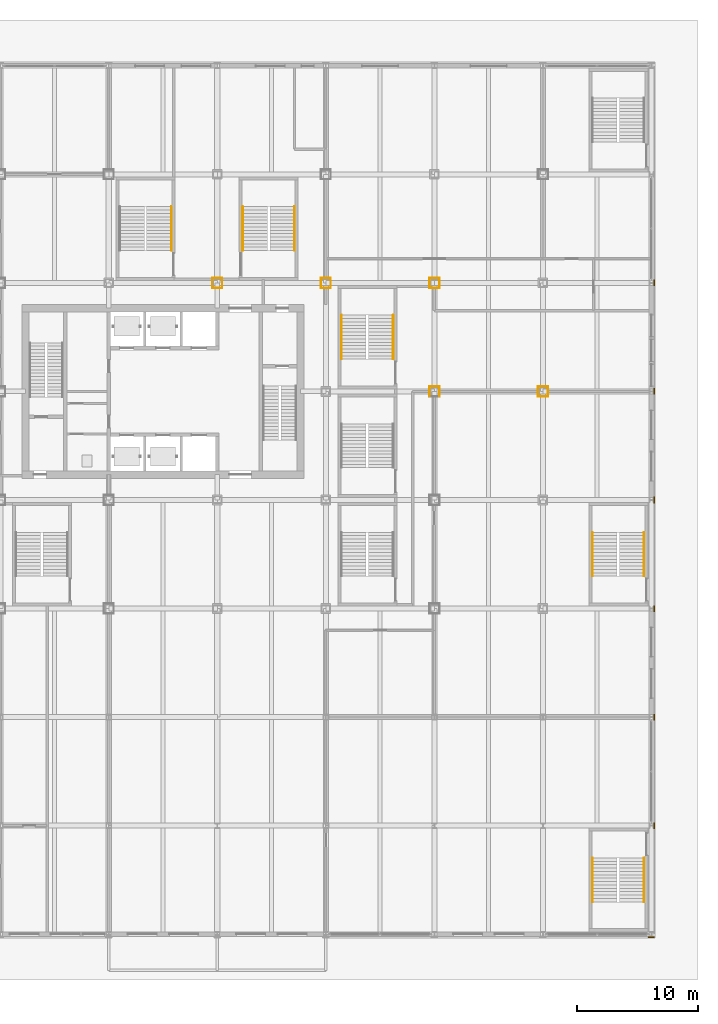
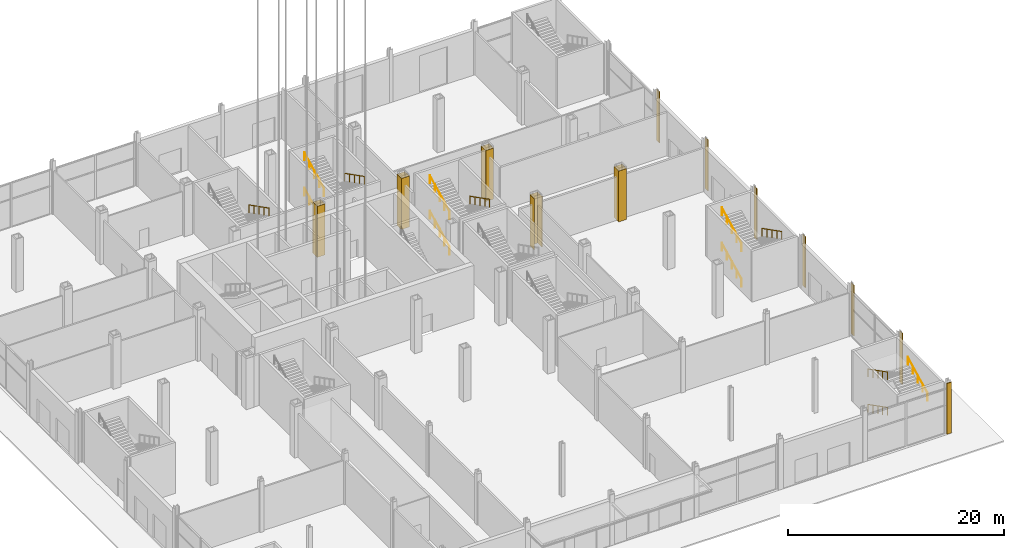
# One storey, part 30 of 34: 26 coverings, 13 railings.
"""IFC4 building model written with IfcOpenShell, lengths in metres."""

from ifc_helpers import new_model, si_unit, direction, frame, origin, origin_2d, place, context, subcontext, project, spatial, rectangle, circle, extrude, material, layer, layer_set, type_object, element, save


model = new_model("IFC4")

# Units and contexts
model_context = context("Model", 3, precision=1e-05, world=origin(), true_north=direction((0.0, 1.0)))
body_context = subcontext(model_context, "Body", "Model", "MODEL_VIEW")
ifc_project = project(units=[si_unit("LENGTHUNIT", "METRE"), si_unit("AREAUNIT", "SQUARE_METRE"), si_unit("VOLUMEUNIT", "CUBIC_METRE"), si_unit("PLANEANGLEUNIT", "RADIAN"), si_unit("MASSUNIT", "GRAM", prefix="KILO")], contexts=[model_context])

# Site, building, storey
site_placement = place(None, origin())
site = spatial("IfcSite", under=ifc_project, at=site_placement, CompositionType="ELEMENT")
building_placement = place(site_placement, origin())
building = spatial("IfcBuilding", under=site, at=building_placement, Name="Loomwork Tower", CompositionType="ELEMENT")
storey_placement = place(building_placement, origin())
storey = spatial("IfcBuildingStorey", under=building, at=storey_placement, Name="L00", CompositionType="ELEMENT", Elevation=0.0)

# Coverings
ifc_material_1 = material(Name="Two-hour fire-rated gypsum board casing")
ifc_layer_1 = layer(ifc_material_1, 0.02490234375)
ifc_layer_set_1 = layer_set([ifc_layer_1], Name="Column fire casing 25")
covering_type_1 = type_object("IfcCoveringType", Name="Column fire casing 25", PredefinedType="CLADDING", material=ifc_layer_set_1)
for number, where, z_axis, x_axis, name in (
    (1, (27.0, 27.41259765625, 0.0), (0.0, 0.0, 1.0), (1.0, 0.0, 0.0), "Column casing 27 27 L00"),
    (2, (27.0, 26.58740234375, 0.0), (0.0, 0.0, 1.0), (1.0, 0.0, 0.0), "Column casing 27 27 L00"),
):
    element("IfcCovering", number, at=place(storey_placement, frame(where, z_axis=z_axis, x_axis=x_axis)), inside=storey, type_object=covering_type_1, Name=name, PredefinedType="CLADDING", context=body_context, shape_type="SweptSolid", body=[
        extrude(rectangle(XDim=0.85009765625, YDim=0.02490234375, at=origin_2d()), origin(), (0.0, 0.0, 1.0), 5.75),
    ])
for number, where, z_axis, x_axis, name in (
    (3, (27.41259765625, 27.0, 0.0), (0.0, 0.0, 1.0), (1.0, 0.0, 0.0), "Column casing 27 27 L00"),
    (4, (26.58740234375, 27.0, 0.0), (0.0, 0.0, 1.0), (1.0, 0.0, 0.0), "Column casing 27 27 L00"),
):
    element("IfcCovering", number, at=place(storey_placement, frame(where, z_axis=z_axis, x_axis=x_axis)), inside=storey, type_object=covering_type_1, Name=name, PredefinedType="CLADDING", context=body_context, shape_type="SweptSolid", body=[
        extrude(rectangle(XDim=0.02490234375, YDim=0.800048828125, at=origin_2d()), origin(), (0.0, 0.0, 1.0), 5.75),
    ])
for number, where, z_axis, x_axis, name in (
    (5, (36.0, 27.41259765625, 0.0), (0.0, 0.0, 1.0), (1.0, 0.0, 0.0), "Column casing 36 27 L00"),
    (6, (36.0, 26.58740234375, 0.0), (0.0, 0.0, 1.0), (1.0, 0.0, 0.0), "Column casing 36 27 L00"),
):
    element("IfcCovering", number, at=place(storey_placement, frame(where, z_axis=z_axis, x_axis=x_axis)), inside=storey, type_object=covering_type_1, Name=name, PredefinedType="CLADDING", context=body_context, shape_type="SweptSolid", body=[
        extrude(rectangle(XDim=0.85009765625, YDim=0.02490234375, at=origin_2d()), origin(), (0.0, 0.0, 1.0), 5.75),
    ])
for number, where, z_axis, x_axis, name in (
    (7, (36.41259765625, 27.0, 0.0), (0.0, 0.0, 1.0), (1.0, 0.0, 0.0), "Column casing 36 27 L00"),
    (8, (35.58740234375, 27.0, 0.0), (0.0, 0.0, 1.0), (1.0, 0.0, 0.0), "Column casing 36 27 L00"),
):
    element("IfcCovering", number, at=place(storey_placement, frame(where, z_axis=z_axis, x_axis=x_axis)), inside=storey, type_object=covering_type_1, Name=name, PredefinedType="CLADDING", context=body_context, shape_type="SweptSolid", body=[
        extrude(rectangle(XDim=0.02490234375, YDim=0.800048828125, at=origin_2d()), origin(), (0.0, 0.0, 1.0), 5.75),
    ])
covering_1_placement = place(storey_placement, frame((45.0, 18.41259765625, 0.0), z_axis=(0.0, 0.0, 1.0), x_axis=(1.0, 0.0, 0.0)))
element("IfcCovering", 9, at=covering_1_placement, inside=storey, type_object=covering_type_1, Name="Column casing 45 18 L00", PredefinedType="CLADDING", context=body_context, shape_type="SweptSolid", body=[
    extrude(rectangle(XDim=0.85009765625, YDim=0.02490234375, at=origin_2d()), origin(), (0.0, 0.0, 1.0), 5.75),
])
for number, where, z_axis, x_axis, name in (
    (10, (45.41259765625, 18.0, 0.0), (0.0, 0.0, 1.0), (1.0, 0.0, 0.0), "Column casing 45 18 L00"),
    (11, (44.58740234375, 18.0, 0.0), (0.0, 0.0, 1.0), (1.0, 0.0, 0.0), "Column casing 45 18 L00"),
):
    element("IfcCovering", number, at=place(storey_placement, frame(where, z_axis=z_axis, x_axis=x_axis)), inside=storey, type_object=covering_type_1, Name=name, PredefinedType="CLADDING", context=body_context, shape_type="SweptSolid", body=[
        extrude(rectangle(XDim=0.02490234375, YDim=0.800048828125, at=origin_2d()), origin(), (0.0, 0.0, 1.0), 5.75),
    ])
for number, where, z_axis, x_axis, name in (
    (12, (45.0, 27.41259765625, 0.0), (0.0, 0.0, 1.0), (1.0, 0.0, 0.0), "Column casing 45 27 L00"),
    (13, (45.0, 26.58740234375, 0.0), (0.0, 0.0, 1.0), (1.0, 0.0, 0.0), "Column casing 45 27 L00"),
):
    element("IfcCovering", number, at=place(storey_placement, frame(where, z_axis=z_axis, x_axis=x_axis)), inside=storey, type_object=covering_type_1, Name=name, PredefinedType="CLADDING", context=body_context, shape_type="SweptSolid", body=[
        extrude(rectangle(XDim=0.85009765625, YDim=0.02490234375, at=origin_2d()), origin(), (0.0, 0.0, 1.0), 5.75),
    ])
for number, where, z_axis, x_axis, name in (
    (14, (45.41259765625, 27.0, 0.0), (0.0, 0.0, 1.0), (1.0, 0.0, 0.0), "Column casing 45 27 L00"),
    (15, (44.58740234375, 27.0, 0.0), (0.0, 0.0, 1.0), (1.0, 0.0, 0.0), "Column casing 45 27 L00"),
):
    element("IfcCovering", number, at=place(storey_placement, frame(where, z_axis=z_axis, x_axis=x_axis)), inside=storey, type_object=covering_type_1, Name=name, PredefinedType="CLADDING", context=body_context, shape_type="SweptSolid", body=[
        extrude(rectangle(XDim=0.02490234375, YDim=0.800048828125, at=origin_2d()), origin(), (0.0, 0.0, 1.0), 5.75),
    ])
for number, where, z_axis, x_axis, name in (
    (16, (54.0, 18.41259765625, 0.0), (0.0, 0.0, 1.0), (1.0, 0.0, 0.0), "Column casing 54 18 L00"),
    (17, (54.0, 17.58740234375, 0.0), (0.0, 0.0, 1.0), (1.0, 0.0, 0.0), "Column casing 54 18 L00"),
):
    element("IfcCovering", number, at=place(storey_placement, frame(where, z_axis=z_axis, x_axis=x_axis)), inside=storey, type_object=covering_type_1, Name=name, PredefinedType="CLADDING", context=body_context, shape_type="SweptSolid", body=[
        extrude(rectangle(XDim=0.85009765625, YDim=0.02490234375, at=origin_2d()), origin(), (0.0, 0.0, 1.0), 5.75),
    ])
for number, where, z_axis, x_axis, name in (
    (18, (54.41259765625, 18.0, 0.0), (0.0, 0.0, 1.0), (1.0, 0.0, 0.0), "Column casing 54 18 L00"),
    (19, (53.58740234375, 18.0, 0.0), (0.0, 0.0, 1.0), (1.0, 0.0, 0.0), "Column casing 54 18 L00"),
):
    element("IfcCovering", number, at=place(storey_placement, frame(where, z_axis=z_axis, x_axis=x_axis)), inside=storey, type_object=covering_type_1, Name=name, PredefinedType="CLADDING", context=body_context, shape_type="SweptSolid", body=[
        extrude(rectangle(XDim=0.02490234375, YDim=0.800048828125, at=origin_2d()), origin(), (0.0, 0.0, 1.0), 5.75),
    ])

# Railings
ifc_material_2 = material(Name="Stainless steel handrail", Category="steel")
railing_type = type_object("IfcRailingType", Name="Handrail 900", PredefinedType="HANDRAIL", material=ifc_material_2)
railing_1_placement = place(storey_placement, frame((58.110107421875, -20.679931640625, 0.142822265625)))
element("IfcRailing", 20, at=railing_1_placement, inside=storey, type_object=railing_type, Name="Podium stair PS2 handrail flight 1 L00", PredefinedType="HANDRAIL", context=body_context, shape_type="SweptSolid", body=[
    extrude(circle(Radius=0.02392578125, at=origin_2d()), frame((0.0, 0.0, 0.8759765625), z_axis=(0.0, -0.890765324736, 0.45446356977), x_axis=(1.0, 0.0, 0.0)), (0.0, 0.0, 1.0), 4.08642578125),
    extrude(circle(Radius=0.02099609375, at=origin_2d()), origin(), (0.0, 0.0, 1.0), 0.851806640625),
    extrude(circle(Radius=0.02099609375, at=origin_2d()), frame((0.0, -0.91015625, 0.46435546875)), (0.0, 0.0, 1.0), 0.851806640625),
    extrude(circle(Radius=0.02099609375, at=origin_2d()), frame((0.0, -1.820068359375, 0.9287109375)), (0.0, 0.0, 1.0), 0.851806640625),
    extrude(circle(Radius=0.02099609375, at=origin_2d()), frame((0.0, -2.72998046875, 1.392822265625)), (0.0, 0.0, 1.0), 0.851806640625),
    extrude(circle(Radius=0.02099609375, at=origin_2d()), frame((0.0, -3.64013671875, 1.857177734375)), (0.0, 0.0, 1.0), 0.851806640625),
])
railing_2_placement = place(storey_placement, frame((62.389892578125, -24.320068359375, 2.142822265625)))
element("IfcRailing", 21, at=railing_2_placement, inside=storey, type_object=railing_type, Name="Podium stair PS2 handrail flight 2 L00", PredefinedType="HANDRAIL", context=body_context, shape_type="SweptSolid", body=[
    extrude(circle(Radius=0.02392578125, at=origin_2d()), frame((0.0, 0.0, 0.8759765625), z_axis=(0.0, 0.890765324736, 0.45446356977), x_axis=(-1.0, 0.0, 0.0)), (0.0, 0.0, 1.0), 4.08642578125),
    extrude(circle(Radius=0.02099609375, at=origin_2d()), origin(), (0.0, 0.0, 1.0), 0.851806640625),
    extrude(circle(Radius=0.02099609375, at=origin_2d()), frame((0.0, 0.91015625, 0.46435546875)), (0.0, 0.0, 1.0), 0.851806640625),
    extrude(circle(Radius=0.02099609375, at=origin_2d()), frame((0.0, 1.820068359375, 0.9287109375)), (0.0, 0.0, 1.0), 0.851806640625),
    extrude(circle(Radius=0.02099609375, at=origin_2d()), frame((0.0, 2.72998046875, 1.392822265625)), (0.0, 0.0, 1.0), 0.851806640625),
    extrude(circle(Radius=0.02099609375, at=origin_2d()), frame((0.0, 3.64013671875, 1.857177734375)), (0.0, 0.0, 1.0), 0.851806640625),
])
railing_3_placement = place(storey_placement, frame((58.110107421875, -20.679931640625, 4.142822265625)))
element("IfcRailing", 22, at=railing_3_placement, inside=storey, type_object=railing_type, Name="Podium stair PS2 handrail flight 3 L00", PredefinedType="HANDRAIL", context=body_context, shape_type="SweptSolid", body=[
    extrude(circle(Radius=0.02392578125, at=origin_2d()), frame((0.0, 0.0, 0.8759765625), z_axis=(0.0, -0.890765324736, 0.45446356977), x_axis=(1.0, 0.0, 0.0)), (0.0, 0.0, 1.0), 4.08642578125),
    extrude(circle(Radius=0.02099609375, at=origin_2d()), origin(), (0.0, 0.0, 1.0), 0.851806640625),
    extrude(circle(Radius=0.02099609375, at=origin_2d()), frame((0.0, -0.91015625, 0.46435546875)), (0.0, 0.0, 1.0), 0.851806640625),
    extrude(circle(Radius=0.02099609375, at=origin_2d()), frame((0.0, -1.820068359375, 0.9287109375)), (0.0, 0.0, 1.0), 0.851806640625),
    extrude(circle(Radius=0.02099609375, at=origin_2d()), frame((0.0, -2.72998046875, 1.392822265625)), (0.0, 0.0, 1.0), 0.851806640625),
    extrude(circle(Radius=0.02099609375, at=origin_2d()), frame((0.0, -3.64013671875, 1.857177734375)), (0.0, 0.0, 1.0), 0.851806640625),
])
railing_4_placement = place(storey_placement, frame((58.110107421875, 2.679931640625, 0.142822265625)))
element("IfcRailing", 23, at=railing_4_placement, inside=storey, type_object=railing_type, Name="Podium stair PS6 handrail flight 1 L00", PredefinedType="HANDRAIL", context=body_context, shape_type="SweptSolid", body=[
    extrude(circle(Radius=0.02392578125, at=origin_2d()), frame((0.0, 0.0, 0.8759765625), z_axis=(0.0, 0.890765324736, 0.45446356977), x_axis=(-1.0, 0.0, 0.0)), (0.0, 0.0, 1.0), 4.08642578125),
    extrude(circle(Radius=0.02099609375, at=origin_2d()), origin(), (0.0, 0.0, 1.0), 0.851806640625),
    extrude(circle(Radius=0.02099609375, at=origin_2d()), frame((0.0, 0.91015625, 0.46435546875)), (0.0, 0.0, 1.0), 0.851806640625),
    extrude(circle(Radius=0.02099609375, at=origin_2d()), frame((0.0, 1.820068359375, 0.9287109375)), (0.0, 0.0, 1.0), 0.851806640625),
    extrude(circle(Radius=0.02099609375, at=origin_2d()), frame((0.0, 2.72998046875, 1.392822265625)), (0.0, 0.0, 1.0), 0.851806640625),
    extrude(circle(Radius=0.02099609375, at=origin_2d()), frame((0.0, 3.64013671875, 1.857177734375)), (0.0, 0.0, 1.0), 0.851806640625),
])
railing_5_placement = place(storey_placement, frame((62.389892578125, 6.320068359375, 2.142822265625)))
element("IfcRailing", 24, at=railing_5_placement, inside=storey, type_object=railing_type, Name="Podium stair PS6 handrail flight 2 L00", PredefinedType="HANDRAIL", context=body_context, shape_type="SweptSolid", body=[
    extrude(circle(Radius=0.02392578125, at=origin_2d()), frame((0.0, 0.0, 0.8759765625), z_axis=(0.0, -0.890765324736, 0.45446356977), x_axis=(1.0, 0.0, 0.0)), (0.0, 0.0, 1.0), 4.08642578125),
    extrude(circle(Radius=0.02099609375, at=origin_2d()), origin(), (0.0, 0.0, 1.0), 0.851806640625),
    extrude(circle(Radius=0.02099609375, at=origin_2d()), frame((0.0, -0.91015625, 0.46435546875)), (0.0, 0.0, 1.0), 0.851806640625),
    extrude(circle(Radius=0.02099609375, at=origin_2d()), frame((0.0, -1.820068359375, 0.9287109375)), (0.0, 0.0, 1.0), 0.851806640625),
    extrude(circle(Radius=0.02099609375, at=origin_2d()), frame((0.0, -2.72998046875, 1.392822265625)), (0.0, 0.0, 1.0), 0.851806640625),
    extrude(circle(Radius=0.02099609375, at=origin_2d()), frame((0.0, -3.64013671875, 1.857177734375)), (0.0, 0.0, 1.0), 0.851806640625),
])
for number, where, name in (
    (25, (58.110107421875, 2.679931640625, 4.142822265625), "Podium stair PS6 handrail flight 3 L00"),
    (26, (37.31005859375, 20.679931640625, 0.142822265625), "Podium stair PS9 handrail flight 1 L00"),
):
    element("IfcRailing", number, at=place(storey_placement, frame(where)), inside=storey, type_object=railing_type, Name=name, PredefinedType="HANDRAIL", context=body_context, shape_type="SweptSolid", body=[
        extrude(circle(Radius=0.02392578125, at=origin_2d()), frame((0.0, 0.0, 0.8759765625), z_axis=(0.0, 0.890765324736, 0.45446356977), x_axis=(-1.0, 0.0, 0.0)), (0.0, 0.0, 1.0), 4.08642578125),
        extrude(circle(Radius=0.02099609375, at=origin_2d()), origin(), (0.0, 0.0, 1.0), 0.851806640625),
        extrude(circle(Radius=0.02099609375, at=origin_2d()), frame((0.0, 0.91015625, 0.46435546875)), (0.0, 0.0, 1.0), 0.851806640625),
        extrude(circle(Radius=0.02099609375, at=origin_2d()), frame((0.0, 1.820068359375, 0.9287109375)), (0.0, 0.0, 1.0), 0.851806640625),
        extrude(circle(Radius=0.02099609375, at=origin_2d()), frame((0.0, 2.72998046875, 1.392822265625)), (0.0, 0.0, 1.0), 0.851806640625),
        extrude(circle(Radius=0.02099609375, at=origin_2d()), frame((0.0, 3.64013671875, 1.857177734375)), (0.0, 0.0, 1.0), 0.851806640625),
    ])
railing_6_placement = place(storey_placement, frame((41.590087890625, 24.320068359375, 2.142822265625)))
element("IfcRailing", 27, at=railing_6_placement, inside=storey, type_object=railing_type, Name="Podium stair PS9 handrail flight 2 L00", PredefinedType="HANDRAIL", context=body_context, shape_type="SweptSolid", body=[
    extrude(circle(Radius=0.02392578125, at=origin_2d()), frame((0.0, 0.0, 0.8759765625), z_axis=(0.0, -0.890765324736, 0.45446356977), x_axis=(1.0, 0.0, 0.0)), (0.0, 0.0, 1.0), 4.08642578125),
    extrude(circle(Radius=0.02099609375, at=origin_2d()), origin(), (0.0, 0.0, 1.0), 0.851806640625),
    extrude(circle(Radius=0.02099609375, at=origin_2d()), frame((0.0, -0.91015625, 0.46435546875)), (0.0, 0.0, 1.0), 0.851806640625),
    extrude(circle(Radius=0.02099609375, at=origin_2d()), frame((0.0, -1.820068359375, 0.9287109375)), (0.0, 0.0, 1.0), 0.851806640625),
    extrude(circle(Radius=0.02099609375, at=origin_2d()), frame((0.0, -2.72998046875, 1.392822265625)), (0.0, 0.0, 1.0), 0.851806640625),
    extrude(circle(Radius=0.02099609375, at=origin_2d()), frame((0.0, -3.64013671875, 1.857177734375)), (0.0, 0.0, 1.0), 0.851806640625),
])
railing_7_placement = place(storey_placement, frame((37.31005859375, 20.679931640625, 4.142822265625)))
element("IfcRailing", 28, at=railing_7_placement, inside=storey, type_object=railing_type, Name="Podium stair PS9 handrail flight 3 L00", PredefinedType="HANDRAIL", context=body_context, shape_type="SweptSolid", body=[
    extrude(circle(Radius=0.02392578125, at=origin_2d()), frame((0.0, 0.0, 0.8759765625), z_axis=(0.0, 0.890765324736, 0.45446356977), x_axis=(-1.0, 0.0, 0.0)), (0.0, 0.0, 1.0), 4.08642578125),
    extrude(circle(Radius=0.02099609375, at=origin_2d()), origin(), (0.0, 0.0, 1.0), 0.851806640625),
    extrude(circle(Radius=0.02099609375, at=origin_2d()), frame((0.0, 0.91015625, 0.46435546875)), (0.0, 0.0, 1.0), 0.851806640625),
    extrude(circle(Radius=0.02099609375, at=origin_2d()), frame((0.0, 1.820068359375, 0.9287109375)), (0.0, 0.0, 1.0), 0.851806640625),
    extrude(circle(Radius=0.02099609375, at=origin_2d()), frame((0.0, 2.72998046875, 1.392822265625)), (0.0, 0.0, 1.0), 0.851806640625),
    extrude(circle(Radius=0.02099609375, at=origin_2d()), frame((0.0, 3.64013671875, 1.857177734375)), (0.0, 0.0, 1.0), 0.851806640625),
])
railing_8_placement = place(storey_placement, frame((23.18994140625, 33.320068359375, 2.142822265625)))
element("IfcRailing", 29, at=railing_8_placement, inside=storey, type_object=railing_type, Name="Podium stair PS10 handrail flight 2 L00", PredefinedType="HANDRAIL", context=body_context, shape_type="SweptSolid", body=[
    extrude(circle(Radius=0.02392578125, at=origin_2d()), frame((0.0, 0.0, 0.8759765625), z_axis=(0.0, -0.890765324736, 0.45446356977), x_axis=(1.0, 0.0, 0.0)), (0.0, 0.0, 1.0), 4.08642578125),
    extrude(circle(Radius=0.02099609375, at=origin_2d()), origin(), (0.0, 0.0, 1.0), 0.851806640625),
    extrude(circle(Radius=0.02099609375, at=origin_2d()), frame((0.0, -0.91015625, 0.46435546875)), (0.0, 0.0, 1.0), 0.851806640625),
    extrude(circle(Radius=0.02099609375, at=origin_2d()), frame((0.0, -1.820068359375, 0.9287109375)), (0.0, 0.0, 1.0), 0.851806640625),
    extrude(circle(Radius=0.02099609375, at=origin_2d()), frame((0.0, -2.72998046875, 1.392822265625)), (0.0, 0.0, 1.0), 0.851806640625),
    extrude(circle(Radius=0.02099609375, at=origin_2d()), frame((0.0, -3.64013671875, 1.857177734375)), (0.0, 0.0, 1.0), 0.851806640625),
])
railing_9_placement = place(storey_placement, frame((29.110107421875, 29.679931640625, 0.142822265625)))
element("IfcRailing", 30, at=railing_9_placement, inside=storey, type_object=railing_type, Name="Podium stair PS11 handrail flight 1 L00", PredefinedType="HANDRAIL", context=body_context, shape_type="SweptSolid", body=[
    extrude(circle(Radius=0.02392578125, at=origin_2d()), frame((0.0, 0.0, 0.8759765625), z_axis=(0.0, 0.890765324736, 0.45446356977), x_axis=(-1.0, 0.0, 0.0)), (0.0, 0.0, 1.0), 4.08642578125),
    extrude(circle(Radius=0.02099609375, at=origin_2d()), origin(), (0.0, 0.0, 1.0), 0.851806640625),
    extrude(circle(Radius=0.02099609375, at=origin_2d()), frame((0.0, 0.91015625, 0.46435546875)), (0.0, 0.0, 1.0), 0.851806640625),
    extrude(circle(Radius=0.02099609375, at=origin_2d()), frame((0.0, 1.820068359375, 0.9287109375)), (0.0, 0.0, 1.0), 0.851806640625),
    extrude(circle(Radius=0.02099609375, at=origin_2d()), frame((0.0, 2.72998046875, 1.392822265625)), (0.0, 0.0, 1.0), 0.851806640625),
    extrude(circle(Radius=0.02099609375, at=origin_2d()), frame((0.0, 3.64013671875, 1.857177734375)), (0.0, 0.0, 1.0), 0.851806640625),
])
railing_10_placement = place(storey_placement, frame((33.389892578125, 33.320068359375, 2.142822265625)))
element("IfcRailing", 31, at=railing_10_placement, inside=storey, type_object=railing_type, Name="Podium stair PS11 handrail flight 2 L00", PredefinedType="HANDRAIL", context=body_context, shape_type="SweptSolid", body=[
    extrude(circle(Radius=0.02392578125, at=origin_2d()), frame((0.0, 0.0, 0.8759765625), z_axis=(0.0, -0.890765324736, 0.45446356977), x_axis=(1.0, 0.0, 0.0)), (0.0, 0.0, 1.0), 4.08642578125),
    extrude(circle(Radius=0.02099609375, at=origin_2d()), origin(), (0.0, 0.0, 1.0), 0.851806640625),
    extrude(circle(Radius=0.02099609375, at=origin_2d()), frame((0.0, -0.91015625, 0.46435546875)), (0.0, 0.0, 1.0), 0.851806640625),
    extrude(circle(Radius=0.02099609375, at=origin_2d()), frame((0.0, -1.820068359375, 0.9287109375)), (0.0, 0.0, 1.0), 0.851806640625),
    extrude(circle(Radius=0.02099609375, at=origin_2d()), frame((0.0, -2.72998046875, 1.392822265625)), (0.0, 0.0, 1.0), 0.851806640625),
    extrude(circle(Radius=0.02099609375, at=origin_2d()), frame((0.0, -3.64013671875, 1.857177734375)), (0.0, 0.0, 1.0), 0.851806640625),
])
railing_11_placement = place(storey_placement, frame((29.110107421875, 29.679931640625, 4.142822265625)))
element("IfcRailing", 32, at=railing_11_placement, inside=storey, type_object=railing_type, Name="Podium stair PS11 handrail flight 3 L00", PredefinedType="HANDRAIL", context=body_context, shape_type="SweptSolid", body=[
    extrude(circle(Radius=0.02392578125, at=origin_2d()), frame((0.0, 0.0, 0.8759765625), z_axis=(0.0, 0.890765324736, 0.45446356977), x_axis=(-1.0, 0.0, 0.0)), (0.0, 0.0, 1.0), 4.08642578125),
    extrude(circle(Radius=0.02099609375, at=origin_2d()), origin(), (0.0, 0.0, 1.0), 0.851806640625),
    extrude(circle(Radius=0.02099609375, at=origin_2d()), frame((0.0, 0.91015625, 0.46435546875)), (0.0, 0.0, 1.0), 0.851806640625),
    extrude(circle(Radius=0.02099609375, at=origin_2d()), frame((0.0, 1.820068359375, 0.9287109375)), (0.0, 0.0, 1.0), 0.851806640625),
    extrude(circle(Radius=0.02099609375, at=origin_2d()), frame((0.0, 2.72998046875, 1.392822265625)), (0.0, 0.0, 1.0), 0.851806640625),
    extrude(circle(Radius=0.02099609375, at=origin_2d()), frame((0.0, 3.64013671875, 1.857177734375)), (0.0, 0.0, 1.0), 0.851806640625),
])

# Coverings
ifc_material_3 = material(Name="Limestone", Category="masonry")
ifc_layer_2 = layer(ifc_material_3, 0.080078125)
ifc_layer_set_2 = layer_set([ifc_layer_2], Name="Limestone pier facing 80")
covering_type_2 = type_object("IfcCoveringType", Name="Limestone pier facing 80", PredefinedType="CLADDING", material=ifc_layer_set_2)
covering_2_placement = place(storey_placement, frame((63.0, -27.239501953125, 0.0), z_axis=(0.0, 0.0, 1.0), x_axis=(1.0, 0.0, 0.0)))
element("IfcCovering", 33, at=covering_2_placement, inside=storey, type_object=covering_type_2, Name="Pier facing A/9 L00", PredefinedType="CLADDING", context=body_context, shape_type="SweptSolid", body=[
    extrude(rectangle(XDim=0.501220703125, YDim=0.080078125, at=origin_2d()), origin(), (0.0, 0.0, 1.0), 5.75),
])
for number, where, z_axis, x_axis, name in (
    (34, (63.239501953125, -18.0, 0.0), (0.0, 0.0, 1.0), (1.0, 0.0, 0.0), "Pier facing B/9 L00"),
    (35, (63.239501953125, -9.0, 0.0), (0.0, 0.0, 1.0), (1.0, 0.0, 0.0), "Pier facing C/9 L00"),
    (36, (63.239501953125, 0.0, 0.0), (0.0, 0.0, 1.0), (1.0, 0.0, 0.0), "Pier facing D/9 L00"),
    (37, (63.239501953125, 9.0, 0.0), (0.0, 0.0, 1.0), (1.0, 0.0, 0.0), "Pier facing E/9 L00"),
    (38, (63.239501953125, 18.0, 0.0), (0.0, 0.0, 1.0), (1.0, 0.0, 0.0), "Pier facing F/9 L00"),
    (39, (63.239501953125, 27.0, 0.0), (0.0, 0.0, 1.0), (1.0, 0.0, 0.0), "Pier facing G/9 L00"),
):
    element("IfcCovering", number, at=place(storey_placement, frame(where, z_axis=z_axis, x_axis=x_axis)), inside=storey, type_object=covering_type_2, Name=name, PredefinedType="CLADDING", context=body_context, shape_type="SweptSolid", body=[
        extrude(rectangle(XDim=0.080078125, YDim=0.501220703125, at=origin_2d()), origin(), (0.0, 0.0, 1.0), 5.75),
    ])

save(model, "model.ifc")
